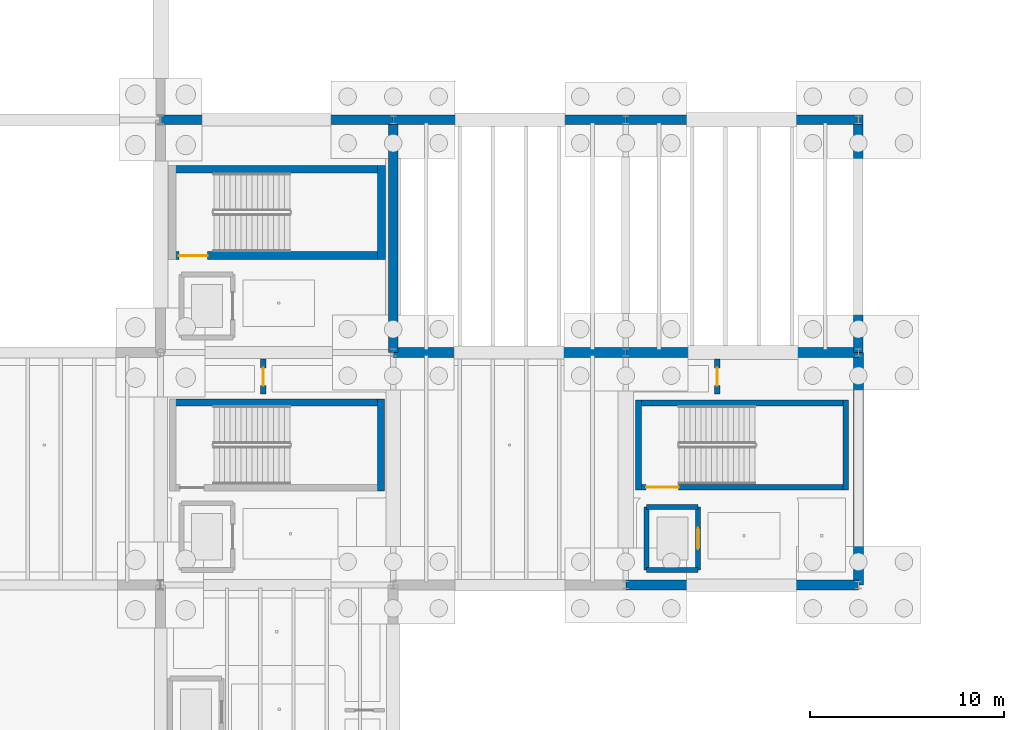
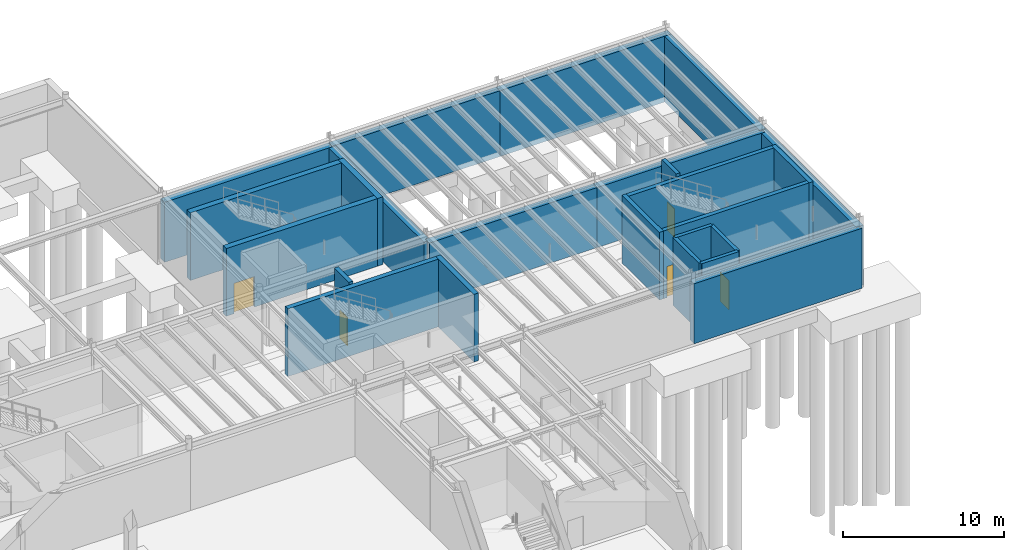
# One storey, part 39 of 67: 24 walls, 5 doors, 5 openings.
"""IFC4 building model written with IfcOpenShell, lengths in metres."""

from ifc_helpers import new_model, si_unit, direction, frame, frame_2d, origin, place, context, subcontext, project, spatial, rectangle, extrude, material, layer, layer_set, type_object, element, fill, save


model = new_model("IFC4")

# Units and contexts
model_context = context("Model", 3, precision=1e-05, world=origin(), true_north=direction((0.0, 1.0)))
body_context = subcontext(model_context, "Body", "Model", "MODEL_VIEW")
ifc_project = project(units=[si_unit("LENGTHUNIT", "METRE"), si_unit("AREAUNIT", "SQUARE_METRE"), si_unit("VOLUMEUNIT", "CUBIC_METRE"), si_unit("PLANEANGLEUNIT", "RADIAN"), si_unit("MASSUNIT", "GRAM", prefix="KILO")], contexts=[model_context])

# Site, building, storey
site_placement = place(None, origin())
site = spatial("IfcSite", under=ifc_project, at=site_placement, CompositionType="ELEMENT")
building_placement = place(site_placement, origin())
building = spatial("IfcBuilding", under=site, at=building_placement, Name="Zlatogorsky Bluff Art Gallery", CompositionType="ELEMENT")
storey_placement = place(building_placement, frame((0.0, 0.0, -5.39990234375)))
storey = spatial("IfcBuildingStorey", under=building, at=storey_placement, Name="B1", CompositionType="ELEMENT", Elevation=-5.39990234375)

# Walls
ifc_material_1 = material(Name="Precast concrete C40/50", Category="concrete")
ifc_layer_1 = layer(ifc_material_1, 0.47998046875)
ifc_layer_set_1 = layer_set([ifc_layer_1], Name="Exterior Wall EW-05 480mm")
wall_type_1 = type_object("IfcWallType", Name="Exterior Wall EW-05 480mm", PredefinedType="SOLIDWALL", material=ifc_layer_set_1)
wall_1_placement = place(storey_placement, frame((132.0, 108.0, -0.400146484375), z_axis=(0.0, 0.0, 1.0), x_axis=(1.0, 0.0, 0.0)))
element("IfcWall", 1, at=wall_1_placement, inside=storey, type_object=wall_type_1, Name="Northeast pavilion B1 sandstone plinth wall NE-SUB-N1", PredefinedType="SOLIDWALL", context=body_context, shape_type="SweptSolid", body=[
    extrude(rectangle(XDim=12.0, YDim=0.47998046875, at=frame_2d((6.0, 0.0))), origin(), (0.0, 0.0, 1.0), 4.97998046875),
])
wall_2_placement = place(storey_placement, frame((144.0, 108.0, -0.400146484375), z_axis=(0.0, 0.0, 1.0), x_axis=(1.0, 0.0, 0.0)))
element("IfcWall", 2, at=wall_2_placement, inside=storey, type_object=wall_type_1, Name="Northeast pavilion B1 sandstone plinth wall NE-SUB-N2", PredefinedType="SOLIDWALL", context=body_context, shape_type="SweptSolid", body=[
    extrude(rectangle(XDim=12.239990234375, YDim=0.47998046875, at=frame_2d((6.1201171875, 0.0))), origin(), (0.0, 0.0, 1.0), 4.97998046875),
])
wall_3_placement = place(storey_placement, frame((156.0, 96.0, -0.400146484375), z_axis=(0.0, 0.0, 1.0), x_axis=(0.0, 1.0, 0.0)))
element("IfcWall", 3, at=wall_3_placement, inside=storey, type_object=wall_type_1, Name="Northeast pavilion B1 sandstone plinth wall NE-SUB-E1", PredefinedType="SOLIDWALL", context=body_context, shape_type="SweptSolid", body=[
    extrude(rectangle(XDim=11.760009765625, YDim=0.47998046875, at=frame_2d((5.8798828125, 0.0))), origin(), (0.0, 0.0, 1.0), 4.97998046875),
])
ifc_material_2 = material(Name="Concrete C35/45", Category="concrete")
ifc_layer_2 = layer(ifc_material_2, 0.5)
ifc_layer_set_2 = layer_set([ifc_layer_2], Name="Exterior Wall RW-02 500mm")
wall_type_2 = type_object("IfcWallType", Name="Exterior Wall RW-02 500mm", PredefinedType="USERDEFINED", material=ifc_layer_set_2)
for number, where, z_axis, x_axis, name in (
    (4, (132.0, 108.0, 0.0), (0.0, 0.0, 1.0), (-1.0, 0.0, 0.0), "Exterior wall RW-02 B1 N 10.9"),
    (5, (132.0, 96.0, 0.0), (0.0, 0.0, 1.0), (0.0, 1.0, 0.0), "Exterior wall RW-02 B1 E 10.9"),
    (6, (144.0, 96.0, 0.0), (0.0, 0.0, 1.0), (-1.0, 0.0, 0.0), "Exterior wall RW-02 B1 N 11.8"),
):
    element("IfcWall", number, at=place(storey_placement, frame(where, z_axis=z_axis, x_axis=x_axis)), inside=storey, type_object=wall_type_2, Name=name, ObjectType="RETAINING WALL", PredefinedType="USERDEFINED", context=body_context, shape_type="SweptSolid", body=[
        extrude(rectangle(XDim=12.0, YDim=0.5, at=frame_2d((6.0, 0.0))), origin(), (0.0, 0.0, 1.0), 4.539794921875),
    ])
ifc_layer_3 = layer(ifc_material_2, 0.52001953125)
ifc_layer_set_3 = layer_set([ifc_layer_3], Name="Exterior Wall RW-03 520mm")
wall_type_3 = type_object("IfcWallType", Name="Exterior Wall RW-03 520mm", PredefinedType="USERDEFINED", material=ifc_layer_set_3)
for number, where, z_axis, x_axis, name in (
    (7, (144.0, 84.0, 0.0), (0.0, 0.0, 1.0), (1.0, 0.0, 0.0), "Exterior wall RW-03 B1 S 12.8"),
    (8, (156.0, 96.0, 0.0), (0.0, 0.0, 1.0), (-1.0, 0.0, 0.0), "Exterior wall RW-03 B1 N 12.8"),
    (9, (156.0, 84.0, 0.0), (0.0, 0.0, 1.0), (0.0, 1.0, 0.0), "Exterior wall RW-03 B1 E 12.8"),
):
    element("IfcWall", number, at=place(storey_placement, frame(where, z_axis=z_axis, x_axis=x_axis)), inside=storey, type_object=wall_type_3, Name=name, ObjectType="RETAINING WALL", PredefinedType="USERDEFINED", context=body_context, shape_type="SweptSolid", body=[
        extrude(rectangle(XDim=12.0, YDim=0.52001953125, at=frame_2d((6.0, 0.0))), origin(), (0.0, 0.0, 1.0), 4.539794921875),
    ])
ifc_layer_4 = layer(ifc_material_2, 0.25)
ifc_layer_set_4 = layer_set([ifc_layer_4], Name="Interior Wall IW-05 250mm")
wall_type_4 = type_object("IfcWallType", Name="Interior Wall IW-05 250mm", PredefinedType="SOLIDWALL", material=ifc_layer_set_4)
wall_4_placement = place(storey_placement, frame((145.074951171875, 84.77490234375, 0.0), z_axis=(0.0, 0.0, 1.0), x_axis=(1.0, 0.0, 0.0)))
element("IfcWall", 10, at=wall_4_placement, inside=storey, type_object=wall_type_4, Name="Lift PL-2 shaft wall B1 S", PredefinedType="SOLIDWALL", context=body_context, shape_type="SweptSolid", body=[
    extrude(rectangle(XDim=2.650146484375, YDim=0.25, at=frame_2d((1.3251953125, 0.0))), origin(), (0.0, 0.0, 1.0), 5.119873046875),
])

# Wall, opening, door
wall_5_placement = place(storey_placement, frame((147.72509765625, 84.77490234375, 0.0), z_axis=(0.0, 0.0, 1.0), x_axis=(0.0, 1.0, 0.0)))
wall_5 = element("IfcWall", 11, at=wall_5_placement, inside=storey, type_object=wall_type_4, Name="Lift PL-2 shaft wall B1 E", PredefinedType="SOLIDWALL", context=body_context, shape_type="SweptSolid", body=[
    extrude(rectangle(XDim=3.25, YDim=0.25, at=frame_2d((1.625, 0.0))), origin(), (0.0, 0.0, 1.0), 5.119873046875),
])
opening_1_placement = place(wall_5_placement, frame((1.074951171875, 0.0, 0.0)))
opening_1 = element("IfcOpeningElement", 12, at=opening_1_placement, cuts=wall_5, Name="Opening LD-01", PredefinedType="OPENING", context=body_context, shape_type="SweptSolid", body=[
    extrude(rectangle(XDim=1.10009765625, YDim=2.199951171875, at=frame_2d((0.550048828125, 1.10009765625))), frame((0.0, 0.135009765625, 0.0), z_axis=(0.0, -1.0, 0.0), x_axis=(1.0, 0.0, 0.0)), (0.0, 0.0, 1.0), 0.27001953125),
])
ifc_material_3 = material(Name="Anodised Aluminium and Laminated Timber", Category="wood")
door_type_1 = type_object("IfcDoorType", Name="Interior Door LD-01 1100x2200", OperationType="SLIDING_TO_LEFT", PredefinedType="DOOR", material=ifc_material_3)
door_1_placement = place(opening_1_placement, origin())
door_1 = element("IfcDoor", 13, at=door_1_placement, inside=storey, type_object=door_type_1, Name="Lift PL-2 sliding landing door B1", OperationType="SLIDING_TO_LEFT", OverallHeight=2.199951171875, OverallWidth=1.10009765625, PredefinedType="DOOR", context=body_context, shape_type="SweptSolid", body=[
    extrude(rectangle(XDim=1.10009765625, YDim=2.199951171875, at=frame_2d((0.550048828125, 1.10009765625))), frame((0.0, 0.02490234375, 0.0), z_axis=(0.0, -1.0, 0.0), x_axis=(1.0, 0.0, 0.0)), (0.0, 0.0, 1.0), 0.050048828125),
])
fill(opening_1, door_1)

# Walls
wall_6_placement = place(storey_placement, frame((147.72509765625, 88.02490234375, 0.0), z_axis=(0.0, 0.0, 1.0), x_axis=(-1.0, 0.0, 0.0)))
element("IfcWall", 14, at=wall_6_placement, inside=storey, type_object=wall_type_4, Name="Lift PL-2 shaft wall B1 N", PredefinedType="SOLIDWALL", context=body_context, shape_type="SweptSolid", body=[
    extrude(rectangle(XDim=2.650146484375, YDim=0.25, at=frame_2d((1.3251953125, 0.0))), origin(), (0.0, 0.0, 1.0), 5.119873046875),
])
wall_7_placement = place(storey_placement, frame((145.074951171875, 88.02490234375, 0.0), z_axis=(0.0, 0.0, 1.0), x_axis=(0.0, -1.0, 0.0)))
element("IfcWall", 15, at=wall_7_placement, inside=storey, type_object=wall_type_4, Name="Lift PL-2 shaft wall B1 W", PredefinedType="SOLIDWALL", context=body_context, shape_type="SweptSolid", body=[
    extrude(rectangle(XDim=3.25, YDim=0.25, at=frame_2d((1.625, 0.0))), origin(), (0.0, 0.0, 1.0), 5.119873046875),
])

# Wall, opening, door
ifc_layer_5 = layer(ifc_material_2, 0.280029296875)
ifc_layer_set_5 = layer_set([ifc_layer_5], Name="Interior Wall IW-06 280mm")
wall_type_5 = type_object("IfcWallType", Name="Interior Wall IW-06 280mm", PredefinedType="SOLIDWALL", material=ifc_layer_set_5)
wall_8_placement = place(storey_placement, frame((125.304931640625, 93.8701171875, 0.0), z_axis=(0.0, 0.0, 1.0), x_axis=(0.0, 1.0, 0.0)))
wall_8 = element("IfcWall", 16, at=wall_8_placement, inside=storey, type_object=wall_type_5, Name="Partition IW-06 between B1-S3-12 and B1-S3-13", PredefinedType="SOLIDWALL", context=body_context, shape_type="SweptSolid", body=[
    extrude(rectangle(XDim=1.7998046875, YDim=0.280029296875, at=frame_2d((0.89990234375, 0.0))), origin(), (0.0, 0.0, 1.0), 5.099853515625),
])
opening_2_placement = place(wall_8_placement, frame((0.419921875, 0.0, 0.0)))
opening_2 = element("IfcOpeningElement", 17, at=opening_2_placement, cuts=wall_8, Name="Opening ID-01", PredefinedType="OPENING", context=body_context, shape_type="SweptSolid", body=[
    extrude(rectangle(XDim=0.919921875, YDim=2.14990234375, at=frame_2d((0.4599609375, 1.074951171875))), frame((0.0, 0.14990234375, 0.0), z_axis=(0.0, -1.0, 0.0), x_axis=(1.0, 0.0, 0.0)), (0.0, 0.0, 1.0), 0.300048828125),
])
door_type_2 = type_object("IfcDoorType", Name="Interior Door ID-01 920x2150", OperationType="SINGLE_SWING_LEFT", PredefinedType="DOOR", material=ifc_material_3)
door_2_placement = place(opening_2_placement, origin())
door_2 = element("IfcDoor", 18, at=door_2_placement, inside=storey, type_object=door_type_2, Name="Door ID-01 B1-S3-12-B1-S3-13", OperationType="SINGLE_SWING_RIGHT", OverallHeight=2.14990234375, OverallWidth=0.919921875, PredefinedType="DOOR", context=body_context, shape_type="SweptSolid", body=[
    extrude(rectangle(XDim=0.919921875, YDim=2.14990234375, at=frame_2d((0.4599609375, 1.074951171875))), frame((0.0, 0.02490234375, 0.0), z_axis=(0.0, -1.0, 0.0), x_axis=(1.0, 0.0, 0.0)), (0.0, 0.0, 1.0), 0.050048828125),
])
fill(opening_2, door_2)

wall_9_placement = place(storey_placement, frame((148.710693359375, 93.8701171875, 0.0), z_axis=(0.0, 0.0, 1.0), x_axis=(0.0, 1.0, 0.0)))
wall_9 = element("IfcWall", 19, at=wall_9_placement, inside=storey, type_object=wall_type_5, Name="Partition IW-06 between B1-S3-13 and B1-S3-14", PredefinedType="SOLIDWALL", context=body_context, shape_type="SweptSolid", body=[
    extrude(rectangle(XDim=1.7998046875, YDim=0.280029296875, at=frame_2d((0.89990234375, 0.0))), origin(), (0.0, 0.0, 1.0), 5.099853515625),
])
opening_3_placement = place(wall_9_placement, frame((0.419921875, 0.0, 0.0)))
opening_3 = element("IfcOpeningElement", 20, at=opening_3_placement, cuts=wall_9, Name="Opening ID-01", PredefinedType="OPENING", context=body_context, shape_type="SweptSolid", body=[
    extrude(rectangle(XDim=0.919921875, YDim=2.14990234375, at=frame_2d((0.4599609375, 1.074951171875))), frame((0.0, 0.14990234375, 0.0), z_axis=(0.0, -1.0, 0.0), x_axis=(1.0, 0.0, 0.0)), (0.0, 0.0, 1.0), 0.300048828125),
])
door_3_placement = place(opening_3_placement, origin())
door_3 = element("IfcDoor", 21, at=door_3_placement, inside=storey, type_object=door_type_2, Name="Door ID-01 B1-S3-13-B1-S3-14", OperationType="SINGLE_SWING_LEFT", OverallHeight=2.14990234375, OverallWidth=0.919921875, PredefinedType="DOOR", context=body_context, shape_type="SweptSolid", body=[
    extrude(rectangle(XDim=0.919921875, YDim=2.14990234375, at=frame_2d((0.4599609375, 1.074951171875))), frame((0.0, 0.02490234375, 0.0), z_axis=(0.0, -1.0, 0.0), x_axis=(1.0, 0.0, 0.0)), (0.0, 0.0, 1.0), 0.050048828125),
])
fill(opening_3, door_3)

ifc_layer_6 = layer(ifc_material_2, 0.300048828125)
ifc_layer_set_6 = layer_set([ifc_layer_6], Name="Interior Wall SW-01 300mm")
wall_type_6 = type_object("IfcWallType", Name="Interior Wall SW-01 300mm", PredefinedType="SHEAR", material=ifc_layer_set_6)
wall_10_placement = place(storey_placement, frame((144.5, 89.050048828125, 0.0), z_axis=(0.0, 0.0, 1.0), x_axis=(1.0, 0.0, 0.0)))
wall_10 = element("IfcWall", 22, at=wall_10_placement, inside=storey, type_object=wall_type_6, Name="Stair ST-04 enclosure wall B1 W0", PredefinedType="SHEAR", context=body_context, shape_type="SweptSolid", body=[
    extrude(rectangle(XDim=11.0, YDim=0.300048828125, at=frame_2d((5.5, 0.0))), origin(), (0.0, 0.0, 1.0), 5.119873046875),
])
opening_4_placement = place(wall_10_placement, frame((0.550048828125, 0.0, 0.0)))
opening_4 = element("IfcOpeningElement", 23, at=opening_4_placement, cuts=wall_10, Name="Opening FD-04", PredefinedType="OPENING", context=body_context, shape_type="SweptSolid", body=[
    extrude(rectangle(XDim=1.679931640625, YDim=2.35009765625, at=frame_2d((0.83984375, 1.175048828125))), frame((0.0, 0.159912109375, 0.0), z_axis=(0.0, -1.0, 0.0), x_axis=(1.0, 0.0, 0.0)), (0.0, 0.0, 1.0), 0.320068359375),
])
door_type_3 = type_object("IfcDoorType", Name="Interior Door FD-04 1680x2350", OperationType="DOUBLE_DOOR_SINGLE_SWING", PredefinedType="DOOR", material=ifc_material_3)
door_4_placement = place(opening_4_placement, origin())
door_4 = element("IfcDoor", 24, at=door_4_placement, inside=storey, type_object=door_type_3, Name="Stair ST-04 fire door B1", OperationType="DOUBLE_DOOR_SINGLE_SWING", OverallHeight=2.35009765625, OverallWidth=1.679931640625, PredefinedType="DOOR", context=body_context, shape_type="SweptSolid", body=[
    extrude(rectangle(XDim=1.679931640625, YDim=2.35009765625, at=frame_2d((0.83984375, 1.175048828125))), frame((0.0, 0.02490234375, 0.0), z_axis=(0.0, -1.0, 0.0), x_axis=(1.0, 0.0, 0.0)), (0.0, 0.0, 1.0), 0.050048828125),
])
fill(opening_4, door_4)

# Walls
wall_11_placement = place(storey_placement, frame((155.35009765625, 88.89990234375, 0.0), z_axis=(0.0, 0.0, 1.0), x_axis=(0.0, 1.0, 0.0)))
element("IfcWall", 25, at=wall_11_placement, inside=storey, type_object=wall_type_6, Name="Stair ST-04 enclosure wall B1 FEND", PredefinedType="SHEAR", context=body_context, shape_type="SweptSolid", body=[
    extrude(rectangle(XDim=4.650146484375, YDim=0.300048828125, at=frame_2d((2.3251953125, 0.0))), origin(), (0.0, 0.0, 1.0), 5.119873046875),
])
wall_12_placement = place(storey_placement, frame((155.5, 93.39990234375, 0.0), z_axis=(0.0, 0.0, 1.0), x_axis=(-1.0, 0.0, 0.0)))
element("IfcWall", 26, at=wall_12_placement, inside=storey, type_object=wall_type_6, Name="Stair ST-04 enclosure wall B1 W1", PredefinedType="SHEAR", context=body_context, shape_type="SweptSolid", body=[
    extrude(rectangle(XDim=11.0, YDim=0.300048828125, at=frame_2d((5.5, 0.0))), origin(), (0.0, 0.0, 1.0), 5.119873046875),
])
wall_13_placement = place(storey_placement, frame((144.64990234375, 93.550048828125, 0.0), z_axis=(0.0, 0.0, 1.0), x_axis=(0.0, -1.0, 0.0)))
element("IfcWall", 27, at=wall_13_placement, inside=storey, type_object=wall_type_6, Name="Stair ST-04 enclosure wall B1 LEND", PredefinedType="SHEAR", context=body_context, shape_type="SweptSolid", body=[
    extrude(rectangle(XDim=4.650146484375, YDim=0.300048828125, at=frame_2d((2.3251953125, 0.0))), origin(), (0.0, 0.0, 1.0), 5.119873046875),
])
ifc_layer_7 = layer(ifc_material_2, 0.35009765625)
ifc_layer_set_7 = layer_set([ifc_layer_7], Name="Interior Wall SW-02 350mm")
wall_type_7 = type_object("IfcWallType", Name="Interior Wall SW-02 350mm", PredefinedType="SHEAR", material=ifc_layer_set_7)
wall_14_placement = place(storey_placement, frame((131.375, 88.85009765625, 0.0), z_axis=(0.0, 0.0, 1.0), x_axis=(0.0, 1.0, 0.0)))
element("IfcWall", 28, at=wall_14_placement, inside=storey, type_object=wall_type_7, Name="Stair ST-02 enclosure wall B1 FEND", PredefinedType="SHEAR", context=body_context, shape_type="SweptSolid", body=[
    extrude(rectangle(XDim=4.75, YDim=0.35009765625, at=frame_2d((2.375, 0.0))), origin(), (0.0, 0.0, 1.0), 5.119873046875),
])
wall_15_placement = place(storey_placement, frame((131.550048828125, 93.425048828125, 0.0), z_axis=(0.0, 0.0, 1.0), x_axis=(-1.0, 0.0, 0.0)))
element("IfcWall", 29, at=wall_15_placement, inside=storey, type_object=wall_type_7, Name="Stair ST-02 enclosure wall B1 W1", PredefinedType="SHEAR", context=body_context, shape_type="SweptSolid", body=[
    extrude(rectangle(XDim=11.10009765625, YDim=0.35009765625, at=frame_2d((5.550048828125, 0.0))), origin(), (0.0, 0.0, 1.0), 5.119873046875),
])

# Wall, opening, door
ifc_layer_8 = layer(ifc_material_2, 0.39990234375)
ifc_layer_set_8 = layer_set([ifc_layer_8], Name="Interior Wall SW-03 400mm")
wall_type_8 = type_object("IfcWallType", Name="Interior Wall SW-03 400mm", PredefinedType="SHEAR", material=ifc_layer_set_8)
wall_16_placement = place(storey_placement, frame((120.39990234375, 101.0, 0.0), z_axis=(0.0, 0.0, 1.0), x_axis=(1.0, 0.0, 0.0)))
wall_16 = element("IfcWall", 30, at=wall_16_placement, inside=storey, type_object=wall_type_8, Name="Stair ST-03 enclosure wall B1 W0", PredefinedType="SHEAR", context=body_context, shape_type="SweptSolid", body=[
    extrude(rectangle(XDim=11.2001953125, YDim=0.39990234375, at=frame_2d((5.60009765625, 0.0))), origin(), (0.0, 0.0, 1.0), 5.119873046875),
])
opening_5_placement = place(wall_16_placement, frame((0.550048828125, 0.0, 0.0)))
opening_5 = element("IfcOpeningElement", 31, at=opening_5_placement, cuts=wall_16, Name="Opening FD-03", PredefinedType="OPENING", context=body_context, shape_type="SweptSolid", body=[
    extrude(rectangle(XDim=1.47998046875, YDim=2.300048828125, at=frame_2d((0.739990234375, 1.14990234375))), frame((0.0, 0.2099609375, 0.0), z_axis=(0.0, -1.0, 0.0), x_axis=(1.0, 0.0, 0.0)), (0.0, 0.0, 1.0), 0.419921875),
])
door_type_4 = type_object("IfcDoorType", Name="Interior Door FD-03 1480x2300", OperationType="DOUBLE_DOOR_SINGLE_SWING", PredefinedType="DOOR", material=ifc_material_3)
door_5_placement = place(opening_5_placement, origin())
door_5 = element("IfcDoor", 32, at=door_5_placement, inside=storey, type_object=door_type_4, Name="Stair ST-03 fire door B1", OperationType="DOUBLE_DOOR_SINGLE_SWING", OverallHeight=2.300048828125, OverallWidth=1.47998046875, PredefinedType="DOOR", context=body_context, shape_type="SweptSolid", body=[
    extrude(rectangle(XDim=1.47998046875, YDim=2.300048828125, at=frame_2d((0.739990234375, 1.14990234375))), frame((0.0, 0.02490234375, 0.0), z_axis=(0.0, -1.0, 0.0), x_axis=(1.0, 0.0, 0.0)), (0.0, 0.0, 1.0), 0.050048828125),
])
fill(opening_5, door_5)

# Walls
wall_17_placement = place(storey_placement, frame((131.39990234375, 100.800048828125, 0.0), z_axis=(0.0, 0.0, 1.0), x_axis=(0.0, 1.0, 0.0)))
element("IfcWall", 33, at=wall_17_placement, inside=storey, type_object=wall_type_8, Name="Stair ST-03 enclosure wall B1 FEND", PredefinedType="SHEAR", context=body_context, shape_type="SweptSolid", body=[
    extrude(rectangle(XDim=4.849853515625, YDim=0.39990234375, at=frame_2d((2.4248046875, 0.0))), origin(), (0.0, 0.0, 1.0), 5.119873046875),
])
wall_18_placement = place(storey_placement, frame((131.60009765625, 105.449951171875, 0.0), z_axis=(0.0, 0.0, 1.0), x_axis=(-1.0, 0.0, 0.0)))
element("IfcWall", 34, at=wall_18_placement, inside=storey, type_object=wall_type_8, Name="Stair ST-03 enclosure wall B1 W1", PredefinedType="SHEAR", context=body_context, shape_type="SweptSolid", body=[
    extrude(rectangle(XDim=11.2001953125, YDim=0.39990234375, at=frame_2d((5.60009765625, 0.0))), origin(), (0.0, 0.0, 1.0), 5.119873046875),
])

save(model, "model.ifc")
